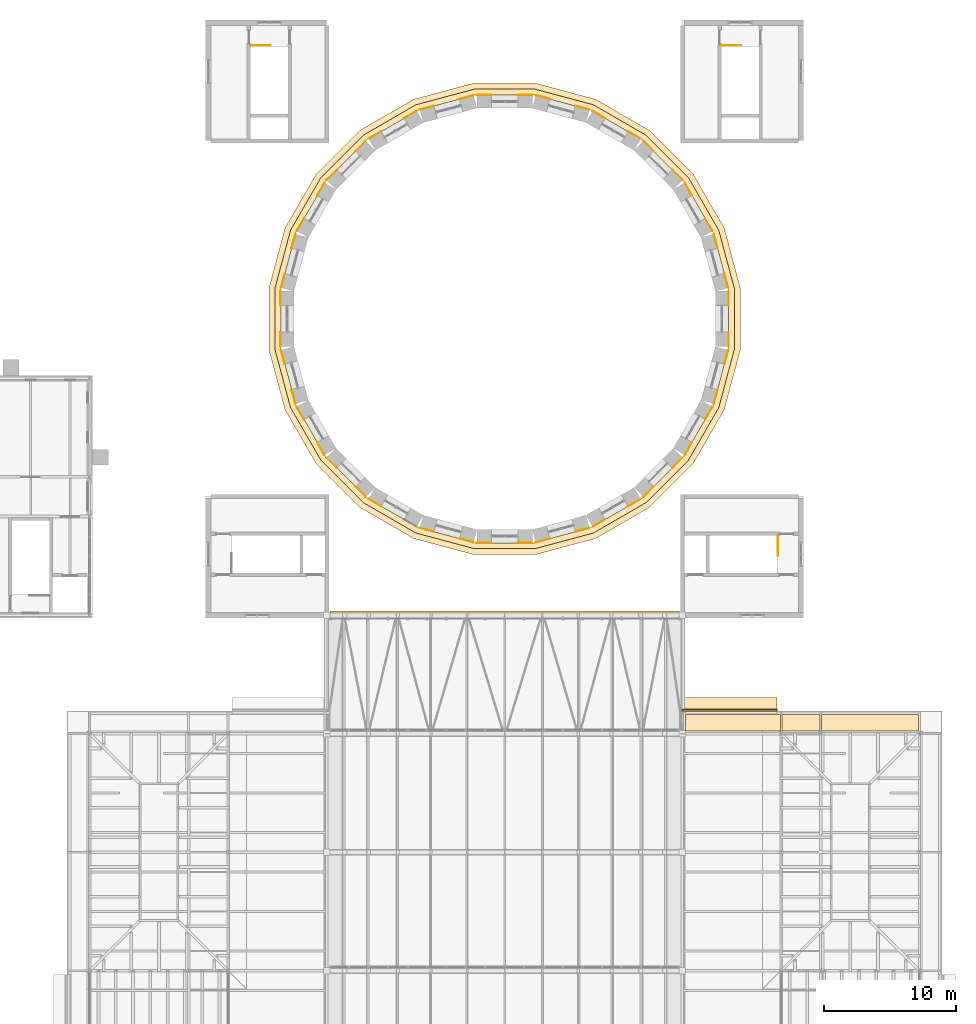
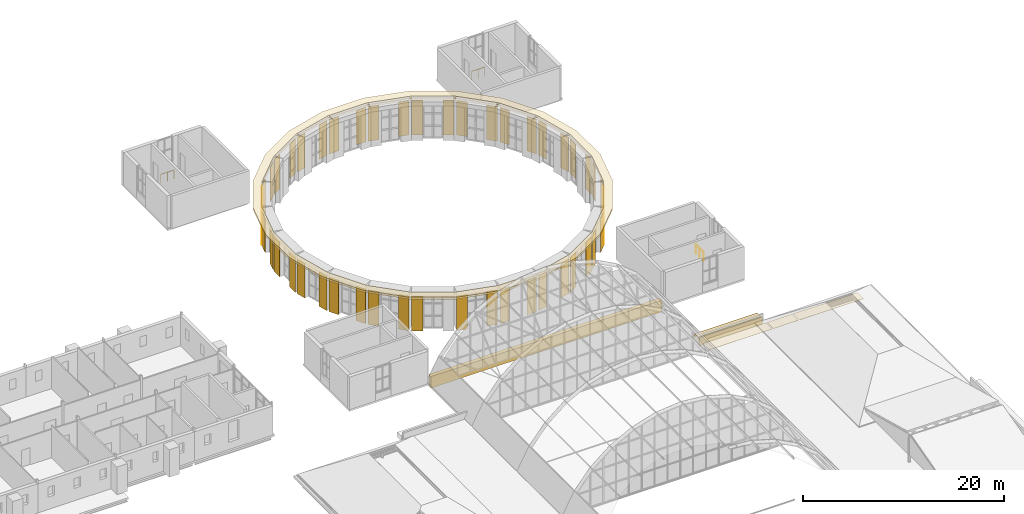
# One storey, part 120 of 121: 55 coverings, 3 railings.
"""IFC4 building model written with IfcOpenShell, lengths in metres."""

from ifc_helpers import new_model, si_unit, direction, frame, origin, origin_2d, place, context, subcontext, project, spatial, polyline, rectangle, circle, outline, extrude, material, layer, layer_set, type_object, element, save


model = new_model("IFC4")

# Units and contexts
model_context = context("Model", 3, precision=1e-05, world=origin(), true_north=direction((0.0, 1.0)))
body_context = subcontext(model_context, "Body", "Model", "MODEL_VIEW")
ifc_project = project(units=[si_unit("LENGTHUNIT", "METRE"), si_unit("AREAUNIT", "SQUARE_METRE"), si_unit("VOLUMEUNIT", "CUBIC_METRE"), si_unit("PLANEANGLEUNIT", "RADIAN"), si_unit("MASSUNIT", "GRAM", prefix="KILO")], contexts=[model_context])

# Site, building, storey
site_placement = place(None, origin())
site = spatial("IfcSite", under=ifc_project, at=site_placement, CompositionType="ELEMENT")
building_placement = place(site_placement, origin())
building = spatial("IfcBuilding", under=site, at=building_placement, Name="Golden Quay Civic Hall", CompositionType="ELEMENT")
storey_placement = place(building_placement, frame((0.0, 0.0, 18.60009765625)))
storey = spatial("IfcBuildingStorey", under=building, at=storey_placement, Name="L04", CompositionType="ELEMENT", Elevation=18.60009765625)

# Coverings
ifc_material_1 = material(Name="Aluminium, anodised", Category="aluminium")
ifc_layer_1 = layer(ifc_material_1, 0.02490234375)
ifc_layer_set_1 = layer_set([ifc_layer_1], Name="Aluminium soffit lining 25")
covering_type_1 = type_object("IfcCoveringType", Name="Aluminium soffit lining 25", PredefinedType="CEILING", material=ifc_layer_set_1)
covering_1_placement = place(storey_placement, frame((0.0, 0.0, -0.275146484375)))
element("IfcCovering", 1, at=covering_1_placement, inside=storey, type_object=covering_type_1, Name="Aluminium soffit lining 25 L04 15", PredefinedType="CEILING", context=body_context, shape_type="SweptSolid", body=[
    extrude(outline(polyline([(109.5673828125, 54.199951171875), (109.5673828125, 55.449951171875), (116.9326171875, 55.449951171875), (116.9326171875, 54.199951171875), (109.5673828125, 54.199951171875)])), origin(), (0.0, 0.0, 1.0), 0.025146484375),
])
covering_2_placement = place(storey_placement, frame((0.0, 0.0, -0.275146484375)))
element("IfcCovering", 2, at=covering_2_placement, inside=storey, type_object=covering_type_1, Name="Aluminium soffit lining 25 L04 16", PredefinedType="CEILING", context=body_context, shape_type="SweptSolid", body=[
    extrude(outline(polyline([(106.5673828125, 54.199951171875), (106.5673828125, 55.449951171875), (109.4326171875, 55.449951171875), (109.4326171875, 54.199951171875), (106.5673828125, 54.199951171875)])), origin(), (0.0, 0.0, 1.0), 0.025146484375),
])
covering_3_placement = place(storey_placement, frame((0.0, 0.0, -0.275146484375)))
element("IfcCovering", 3, at=covering_3_placement, inside=storey, type_object=covering_type_1, Name="Aluminium soffit lining 25 L04 17", PredefinedType="CEILING", context=body_context, shape_type="SweptSolid", body=[
    extrude(outline(polyline([(99.217529296875, 54.199951171875), (99.217529296875, 55.449951171875), (106.4326171875, 55.449951171875), (106.4326171875, 54.199951171875), (99.217529296875, 54.199951171875)])), origin(), (0.0, 0.0, 1.0), 0.025146484375),
])
ifc_material_2 = material(Name="Ceramic tile")
ifc_layer_2 = layer(ifc_material_2, 0.030029296875)
ifc_layer_set_2 = layer_set([ifc_layer_2], Name="Ceramic tile cladding, green glaze")
covering_type_2 = type_object("IfcCoveringType", Name="Ceramic tile cladding, green glaze", PredefinedType="CLADDING", material=ifc_layer_set_2)
for number, where, z_axis, x_axis, name in (
    (4, (102.337158203125, 88.403564453125, -0.2001953125), (0.0, 0.0, 1.0), (-0.258819045103, 0.965925826289, 0.0), "Drum cladding 1.1"),
    (5, (101.533203125, 91.404052734375, -0.2001953125), (0.0, 0.0, 1.0), (-0.258819045103, 0.965925826289, 0.0), "Drum cladding 1.2"),
    (6, (101.011962890625, 92.662353515625, -0.2001953125), (0.0, 0.0, 1.0), (-0.5, 0.866025403784, 0.0), "Drum cladding 2.1"),
    (7, (99.458740234375, 95.3525390625, -0.2001953125), (0.0, 0.0, 1.0), (-0.5, 0.866025403784, 0.0), "Drum cladding 2.2"),
    (8, (98.629638671875, 96.43310546875, -0.2001953125), (0.0, 0.0, 1.0), (-0.707106781187, 0.707106781187, 0.0), "Drum cladding 3.1"),
    (9, (96.43310546875, 98.629638671875, -0.2001953125), (0.0, 0.0, 1.0), (-0.707106781187, 0.707106781187, 0.0), "Drum cladding 3.2"),
    (10, (95.3525390625, 99.458740234375, -0.2001953125), (0.0, 0.0, 1.0), (-0.866025403784, 0.5, 0.0), "Drum cladding 4.1"),
    (11, (92.662353515625, 101.011962890625, -0.2001953125), (0.0, 0.0, 1.0), (-0.866025403784, 0.5, 0.0), "Drum cladding 4.2"),
    (12, (91.404052734375, 101.533203125, -0.2001953125), (0.0, 0.0, 1.0), (-0.965925826289, 0.258819045103, 0.0), "Drum cladding 5.1"),
    (13, (88.403564453125, 102.337158203125, -0.2001953125), (0.0, 0.0, 1.0), (-0.965925826289, 0.258819045103, 0.0), "Drum cladding 5.2"),
    (14, (87.05322265625, 102.514892578125, -0.2001953125), (0.0, 0.0, 1.0), (-1.0, 0.0, 0.0), "Drum cladding 6.1"),
    (15, (83.94677734375, 102.514892578125, -0.2001953125), (0.0, 0.0, 1.0), (-1.0, 0.0, 0.0), "Drum cladding 6.2"),
    (16, (82.596435546875, 102.337158203125, -0.2001953125), (0.0, 0.0, 1.0), (-0.965925826289, -0.258819045103, 0.0), "Drum cladding 7.1"),
    (17, (79.595947265625, 101.533203125, -0.2001953125), (0.0, 0.0, 1.0), (-0.965925826289, -0.258819045103, 0.0), "Drum cladding 7.2"),
    (18, (78.337646484375, 101.011962890625, -0.2001953125), (0.0, 0.0, 1.0), (-0.866025403784, -0.5, 0.0), "Drum cladding 8.1"),
    (19, (75.6474609375, 99.458740234375, -0.2001953125), (0.0, 0.0, 1.0), (-0.866025403784, -0.5, 0.0), "Drum cladding 8.2"),
    (20, (74.56689453125, 98.629638671875, -0.2001953125), (0.0, 0.0, 1.0), (-0.707106781187, -0.707106781187, 0.0), "Drum cladding 9.1"),
    (21, (72.370361328125, 96.43310546875, -0.2001953125), (0.0, 0.0, 1.0), (-0.707106781187, -0.707106781187, 0.0), "Drum cladding 9.2"),
    (22, (71.541259765625, 95.3525390625, -0.2001953125), (0.0, 0.0, 1.0), (-0.5, -0.866025403784, 0.0), "Drum cladding 10.1"),
    (23, (69.988037109375, 92.662353515625, -0.2001953125), (0.0, 0.0, 1.0), (-0.5, -0.866025403784, 0.0), "Drum cladding 10.2"),
    (24, (69.466796875, 91.404052734375, -0.2001953125), (0.0, 0.0, 1.0), (-0.258819045103, -0.965925826289, 0.0), "Drum cladding 11.1"),
    (25, (68.662841796875, 88.403564453125, -0.2001953125), (0.0, 0.0, 1.0), (-0.258819045103, -0.965925826289, 0.0), "Drum cladding 11.2"),
    (26, (68.485107421875, 87.05322265625, -0.2001953125), (0.0, 0.0, 1.0), (0.0, -1.0, 0.0), "Drum cladding 12.1"),
    (27, (68.485107421875, 83.94677734375, -0.2001953125), (0.0, 0.0, 1.0), (0.0, -1.0, 0.0), "Drum cladding 12.2"),
    (28, (68.662841796875, 82.596435546875, -0.2001953125), (0.0, 0.0, 1.0), (0.258819045103, -0.965925826289, 0.0), "Drum cladding 13.1"),
    (29, (69.466796875, 79.595947265625, -0.2001953125), (0.0, 0.0, 1.0), (0.258819045103, -0.965925826289, 0.0), "Drum cladding 13.2"),
    (30, (69.988037109375, 78.337646484375, -0.2001953125), (0.0, 0.0, 1.0), (0.5, -0.866025403784, 0.0), "Drum cladding 14.1"),
    (31, (71.541259765625, 75.6474609375, -0.2001953125), (0.0, 0.0, 1.0), (0.5, -0.866025403784, 0.0), "Drum cladding 14.2"),
    (32, (72.370361328125, 74.56689453125, -0.2001953125), (0.0, 0.0, 1.0), (0.707106781187, -0.707106781187, 0.0), "Drum cladding 15.1"),
    (33, (74.56689453125, 72.370361328125, -0.2001953125), (0.0, 0.0, 1.0), (0.707106781187, -0.707106781187, 0.0), "Drum cladding 15.2"),
    (34, (75.6474609375, 71.541259765625, -0.2001953125), (0.0, 0.0, 1.0), (0.866025403784, -0.5, 0.0), "Drum cladding 16.1"),
    (35, (79.595947265625, 69.466796875, -0.2001953125), (0.0, 0.0, 1.0), (0.965925826289, -0.258819045103, 0.0), "Drum cladding 17.1"),
    (36, (82.596435546875, 68.662841796875, -0.2001953125), (0.0, 0.0, 1.0), (0.965925826289, -0.258819045103, 0.0), "Drum cladding 17.2"),
    (37, (83.94677734375, 68.485107421875, -0.2001953125), (0.0, 0.0, 1.0), (1.0, 0.0, 0.0), "Drum cladding 18.1"),
    (38, (87.05322265625, 68.485107421875, -0.2001953125), (0.0, 0.0, 1.0), (1.0, 0.0, 0.0), "Drum cladding 18.2"),
    (39, (88.403564453125, 68.662841796875, -0.2001953125), (0.0, 0.0, 1.0), (0.965925826289, 0.258819045103, 0.0), "Drum cladding 19.1"),
    (40, (91.404052734375, 69.466796875, -0.2001953125), (0.0, 0.0, 1.0), (0.965925826289, 0.258819045103, 0.0), "Drum cladding 19.2"),
    (41, (92.662353515625, 69.988037109375, -0.2001953125), (0.0, 0.0, 1.0), (0.866025403784, 0.5, 0.0), "Drum cladding 20.1"),
    (42, (95.3525390625, 71.541259765625, -0.2001953125), (0.0, 0.0, 1.0), (0.866025403784, 0.5, 0.0), "Drum cladding 20.2"),
    (43, (96.43310546875, 72.370361328125, -0.2001953125), (0.0, 0.0, 1.0), (0.707106781187, 0.707106781187, 0.0), "Drum cladding 21.1"),
    (44, (98.629638671875, 74.56689453125, -0.2001953125), (0.0, 0.0, 1.0), (0.707106781187, 0.707106781187, 0.0), "Drum cladding 21.2"),
    (45, (99.458740234375, 75.6474609375, -0.2001953125), (0.0, 0.0, 1.0), (0.5, 0.866025403784, 0.0), "Drum cladding 22.1"),
    (46, (101.011962890625, 78.337646484375, -0.2001953125), (0.0, 0.0, 1.0), (0.5, 0.866025403784, 0.0), "Drum cladding 22.2"),
    (47, (101.533203125, 79.595947265625, -0.2001953125), (0.0, 0.0, 1.0), (0.258819045103, 0.965925826289, 0.0), "Drum cladding 23.1"),
    (48, (102.337158203125, 82.596435546875, -0.2001953125), (0.0, 0.0, 1.0), (0.258819045103, 0.965925826289, 0.0), "Drum cladding 23.2"),
    (49, (102.514892578125, 83.94677734375, -0.2001953125), (0.0, 0.0, 1.0), (0.0, 1.0, 0.0), "Drum cladding 24.1"),
    (50, (102.514892578125, 87.05322265625, -0.2001953125), (0.0, 0.0, 1.0), (0.0, 1.0, 0.0), "Drum cladding 24.2"),
):
    element("IfcCovering", number, at=place(storey_placement, frame(where, z_axis=z_axis, x_axis=x_axis)), inside=storey, type_object=covering_type_2, Name=name, PredefinedType="CLADDING", context=body_context, shape_type="SweptSolid", body=[
        extrude(rectangle(XDim=1.1064453125, YDim=0.030029296875, at=origin_2d()), origin(), (0.0, 0.0, 1.0), 4.199951171875),
    ])

# Railings
ifc_material_3 = material(Name="Steel S355", Category="steel")
railing_type = type_object("IfcRailingType", Name="Steel guard 1100", PredefinedType="GUARDRAIL", material=ifc_material_3)
railing_placement = place(storey_placement, frame((106.25, 69.050048828125, 0.0)))
element("IfcRailing", 51, at=railing_placement, inside=storey, type_object=railing_type, Name="L04 CB-SE top well guard 1", PredefinedType="GUARDRAIL", context=body_context, shape_type="SweptSolid", body=[
    extrude(circle(Radius=0.02392578125, at=origin_2d()), frame((0.0, 0.0, 1.076171875), z_axis=(0.0, -1.0, 0.0), x_axis=(1.0, 0.0, 0.0)), (0.0, 0.0, 1.0), 1.5),
    extrude(circle(Radius=0.02099609375, at=origin_2d()), origin(), (0.0, 0.0, 1.0), 1.052001953125),
    extrude(circle(Radius=0.02099609375, at=origin_2d()), frame((0.0, -0.75, 0.0)), (0.0, 0.0, 1.0), 1.052001953125),
    extrude(circle(Radius=0.02099609375, at=origin_2d()), frame((0.0, -1.5, 0.0)), (0.0, 0.0, 1.0), 1.052001953125),
])
for number, where, name in (
    (52, (66.199951171875, 106.25, 0.0), "L04 CB-NW top well guard 1"),
    (53, (101.949951171875, 106.25, 0.0), "L04 CB-NE top well guard 1"),
):
    element("IfcRailing", number, at=place(storey_placement, frame(where)), inside=storey, type_object=railing_type, Name=name, PredefinedType="GUARDRAIL", context=body_context, shape_type="SweptSolid", body=[
        extrude(circle(Radius=0.02392578125, at=origin_2d()), frame((0.0, 0.0, 1.076171875), z_axis=(1.0, 0.0, 0.0), x_axis=(0.0, 1.0, 0.0)), (0.0, 0.0, 1.0), 1.5),
        extrude(circle(Radius=0.02099609375, at=origin_2d()), origin(), (0.0, 0.0, 1.0), 1.052001953125),
        extrude(circle(Radius=0.02099609375, at=origin_2d()), frame((0.75, 0.0, 0.0)), (0.0, 0.0, 1.0), 1.052001953125),
        extrude(circle(Radius=0.02099609375, at=origin_2d()), frame((1.5, 0.0, 0.0)), (0.0, 0.0, 1.0), 1.052001953125),
    ])

# Coverings
ifc_material_4 = material(Name="Render on masonry", Category="masonry")
ifc_layer_3 = layer(ifc_material_4, 0.449951171875)
ifc_layer_set_3 = layer_set([ifc_layer_3], Name="Stepped cornice moulding, rendered")
covering_type_3 = type_object("IfcCoveringType", Name="Stepped cornice moulding, rendered", PredefinedType="MOLDING", material=ifc_layer_set_3)
covering_4_placement = place(storey_placement, frame((0.0, 0.0, 4.0)))
element("IfcCovering", 54, at=covering_4_placement, inside=storey, type_object=covering_type_3, Name="Drum cornice step 1", PredefinedType="MOLDING", context=body_context, shape_type="SweptSolid", body=[
    extrude(outline(polyline([(102.949951171875, 87.79736328125), (101.7607421875, 92.2353515625), (99.46337890625, 96.214599609375), (96.214599609375, 99.46337890625), (92.2353515625, 101.7607421875), (87.79736328125, 102.949951171875), (83.20263671875, 102.949951171875), (78.7646484375, 101.7607421875), (74.785400390625, 99.46337890625), (71.53662109375, 96.214599609375), (69.2392578125, 92.2353515625), (68.050048828125, 87.79736328125), (68.050048828125, 83.20263671875), (69.2392578125, 78.7646484375), (71.53662109375, 74.785400390625), (74.785400390625, 71.53662109375), (78.7646484375, 69.2392578125), (83.20263671875, 68.050048828125), (87.79736328125, 68.050048828125), (92.2353515625, 69.2392578125), (96.214599609375, 71.53662109375), (99.46337890625, 74.785400390625), (101.7607421875, 78.7646484375), (102.949951171875, 83.20263671875), (102.949951171875, 87.79736328125)]), holes=[polyline([(101.341552734375, 92.061767578125), (99.103515625, 95.938232421875), (95.938232421875, 99.103515625), (92.061767578125, 101.341552734375), (87.738037109375, 102.5), (83.261962890625, 102.5), (78.938232421875, 101.341552734375), (75.061767578125, 99.103515625), (71.896484375, 95.938232421875), (69.658447265625, 92.061767578125), (68.5, 87.738037109375), (68.5, 83.261962890625), (69.658447265625, 78.938232421875), (71.896484375, 75.061767578125), (75.061767578125, 71.896484375), (78.938232421875, 69.658447265625), (83.261962890625, 68.5), (87.738037109375, 68.5), (92.061767578125, 69.658447265625), (95.938232421875, 71.896484375), (99.103515625, 75.061767578125), (101.341552734375, 78.938232421875), (102.5, 83.261962890625), (102.5, 87.738037109375), (101.341552734375, 92.061767578125)])]), origin(), (0.0, 0.0, 1.0), 0.25),
])
covering_5_placement = place(storey_placement, frame((0.0, 0.0, 4.25)))
element("IfcCovering", 55, at=covering_5_placement, inside=storey, type_object=covering_type_3, Name="Drum cornice step 2", PredefinedType="MOLDING", context=body_context, shape_type="SweptSolid", body=[
    extrude(outline(polyline([(103.39990234375, 87.856689453125), (102.18017578125, 92.4091796875), (99.823486328125, 96.490966796875), (96.490966796875, 99.823486328125), (92.4091796875, 102.18017578125), (87.856689453125, 103.39990234375), (83.143310546875, 103.39990234375), (78.5908203125, 102.18017578125), (74.509033203125, 99.823486328125), (71.176513671875, 96.490966796875), (68.81982421875, 92.4091796875), (67.60009765625, 87.856689453125), (67.60009765625, 83.143310546875), (68.81982421875, 78.5908203125), (71.176513671875, 74.509033203125), (74.509033203125, 71.176513671875), (78.5908203125, 68.81982421875), (83.143310546875, 67.60009765625), (87.856689453125, 67.60009765625), (92.4091796875, 68.81982421875), (96.490966796875, 71.176513671875), (99.823486328125, 74.509033203125), (102.18017578125, 78.5908203125), (103.39990234375, 83.143310546875), (103.39990234375, 87.856689453125)]), holes=[polyline([(101.341552734375, 92.061767578125), (99.103515625, 95.938232421875), (95.938232421875, 99.103515625), (92.061767578125, 101.341552734375), (87.738037109375, 102.5), (83.261962890625, 102.5), (78.938232421875, 101.341552734375), (75.061767578125, 99.103515625), (71.896484375, 95.938232421875), (69.658447265625, 92.061767578125), (68.5, 87.738037109375), (68.5, 83.261962890625), (69.658447265625, 78.938232421875), (71.896484375, 75.061767578125), (75.061767578125, 71.896484375), (78.938232421875, 69.658447265625), (83.261962890625, 68.5), (87.738037109375, 68.5), (92.061767578125, 69.658447265625), (95.938232421875, 71.896484375), (99.103515625, 75.061767578125), (101.341552734375, 78.938232421875), (102.5, 83.261962890625), (102.5, 87.738037109375), (101.341552734375, 92.061767578125)])]), origin(), (0.0, 0.0, 1.0), 0.25),
])
ifc_material_5 = material(Name="Terracotta cladding, golden glaze", Category="masonry")
covering_type_4 = type_object("IfcCoveringType", Name="Terracotta cornice moulding 900 x 600", PredefinedType="MOLDING", material=ifc_material_5)
covering_6_placement = place(storey_placement, frame((0.0, 0.0, -0.35009765625)))
element("IfcCovering", 56, at=covering_6_placement, inside=storey, type_object=covering_type_4, Name="Terracotta cornice moulding 900 x 600 L04 6", PredefinedType="MOLDING", context=body_context, shape_type="SweptSolid", body=[
    extrude(outline(polyline([(98.9599609375, 55.85009765625), (98.9599609375, 56.75), (106.199951171875, 56.75), (106.199951171875, 55.85009765625), (98.9599609375, 55.85009765625)])), origin(), (0.0, 0.0, 1.0), 0.60009765625),
])
ifc_material_6 = material(Name="Terracotta cladding, golden glaze", Category="masonry")
covering_type_5 = type_object("IfcCoveringType", Name="Terracotta eave fascia 150 x 1000", PredefinedType="CLADDING", material=ifc_material_6)
covering_7_placement = place(storey_placement, frame((0.0, 0.0, -0.60009765625)))
element("IfcCovering", 57, at=covering_7_placement, inside=storey, type_object=covering_type_5, Name="Terracotta eave fascia 150 x 1000 L04 6", PredefinedType="CLADDING", context=body_context, shape_type="SweptSolid", body=[
    extrude(outline(polyline([(98.9599609375, 55.699951171875), (98.9599609375, 55.85009765625), (106.199951171875, 55.85009765625), (106.199951171875, 55.699951171875), (98.9599609375, 55.699951171875)])), origin(), (0.0, 0.0, 1.0), 1.0),
])
ifc_material_7 = material(Name="Terracotta cladding, golden glaze", Category="masonry")
covering_type_6 = type_object("IfcCoveringType", Name="Terracotta hall screen fascia 450 x 1400", PredefinedType="CLADDING", material=ifc_material_7)
covering_8_placement = place(storey_placement, frame((0.0, 0.0, -0.7001953125)))
element("IfcCovering", 58, at=covering_8_placement, inside=storey, type_object=covering_type_6, Name="Hall screen fascia north L04", PredefinedType="CLADDING", context=body_context, shape_type="SweptSolid", body=[
    extrude(outline(polyline([(72.219970703125, 63.300048828125), (98.780029296875, 63.300048828125), (98.780029296875, 62.85009765625), (72.219970703125, 62.85009765625), (72.219970703125, 63.300048828125)])), origin(), (0.0, 0.0, 1.0), 1.400146484375),
])

save(model, "model.ifc")
